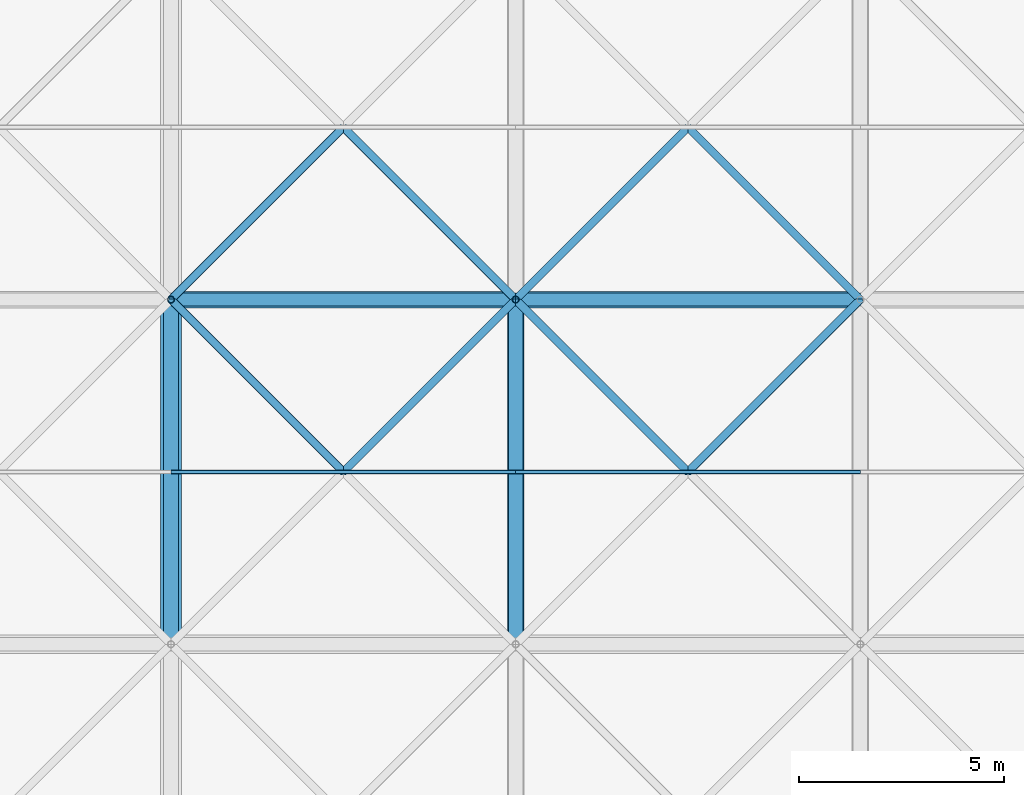
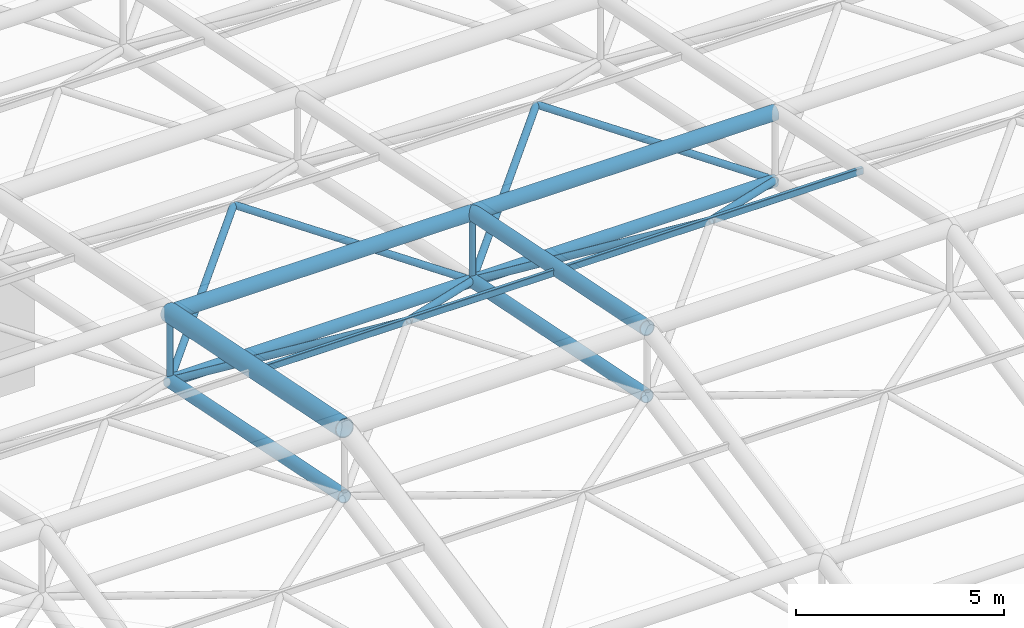
# One storey, part 46 of 110: 20 members.
"""IFC4 building model written with IfcOpenShell, lengths in metres."""

from ifc_helpers import new_model, si_unit, direction, frame, origin, origin_2d, place, context, subcontext, project, spatial, hollow_rectangle, hollow_circle, extrude, material, material_profile, profile_set, type_object, element, save


model = new_model("IFC4")

# Units and contexts
model_context = context("Model", 3, precision=1e-05, world=origin(), true_north=direction((0.0, 1.0)))
body_context = subcontext(model_context, "Body", "Model", "MODEL_VIEW")
ifc_project = project(units=[si_unit("LENGTHUNIT", "METRE"), si_unit("AREAUNIT", "SQUARE_METRE"), si_unit("VOLUMEUNIT", "CUBIC_METRE"), si_unit("PLANEANGLEUNIT", "RADIAN"), si_unit("MASSUNIT", "GRAM", prefix="KILO")], contexts=[model_context])

# Site, building, storey
site_placement = place(None, origin())
site = spatial("IfcSite", under=ifc_project, at=site_placement, CompositionType="ELEMENT")
building_placement = place(site_placement, origin())
building = spatial("IfcBuilding", under=site, at=building_placement, Name="Qawsi Khor Wholesale Market", CompositionType="ELEMENT")
storey_placement = place(building_placement, frame((0.0, 0.0, 11.39990234375)))
storey = spatial("IfcBuildingStorey", under=building, at=storey_placement, Name="L02", CompositionType="ELEMENT", Elevation=11.39990234375)

# Members
ifc_material = material(Name="Steel S355", Category="steel")
ifc_material_profile_1 = material_profile(ifc_material, hollow_circle(Radius=0.177734375, WallThickness=0.01611328125, at=origin_2d()), Name="CHS 355.6x16.0")
ifc_profile_set_1 = profile_set([ifc_material_profile_1], Name="Steel S355")
member_type_1 = type_object("IfcMemberType", Name="Space-Frame Bottom Chord CHS 355.6x16.0", PredefinedType="CHORD", material=ifc_profile_set_1)
for number, where, z_axis, x_axis, name in (
    (1, (159.60009765625, 75.60009765625, 6.77001953125), (0.0, 0.980129990483, -0.1983562496), (-1.0, 0.0, 0.0), "Space frame bottom chord Y EH (19,9)"),
    (2, (168.0, 75.60009765625, 6.77001953125), (0.0, 0.980129990483, -0.1983562496), (-1.0, 0.0, 0.0), "Space frame bottom chord Y EH (20,9)"),
):
    element("IfcMember", number, at=place(storey_placement, frame(where, z_axis=z_axis, x_axis=x_axis)), inside=storey, type_object=member_type_1, Name=name, PredefinedType="CHORD", context=body_context, shape_type="SweptSolid", body=[
        extrude(hollow_circle(Radius=0.177734375, WallThickness=0.01611328125, at=origin_2d()), origin(), (0.0, 0.0, 1.0), 8.5703125),
    ])
ifc_material_profile_2 = material_profile(ifc_material, hollow_circle(Radius=0.25390625, WallThickness=0.02490234375, at=origin_2d()), Name="CHS 508.0x25.0")
ifc_profile_set_2 = profile_set([ifc_material_profile_2], Name="Steel S355")
member_type_2 = type_object("IfcMemberType", Name="Space-Frame Main Chord CHS 508.0x25.0", PredefinedType="CHORD", material=ifc_profile_set_2)
member_1_placement = place(storey_placement, frame((159.60009765625, 75.60009765625, 8.77001953125), z_axis=(0.0, 0.980129990483, -0.1983562496), x_axis=(-1.0, 0.0, 0.0)))
element("IfcMember", 3, at=member_1_placement, inside=storey, type_object=member_type_2, Name="Space frame top chord Y EH (19,9)", PredefinedType="CHORD", context=body_context, shape_type="SweptSolid", body=[
    extrude(hollow_circle(Radius=0.25390625, WallThickness=0.02490234375, at=origin_2d()), origin(), (0.0, 0.0, 1.0), 8.5703125),
])
ifc_material_profile_3 = material_profile(ifc_material, hollow_rectangle(XDim=0.10009765625, YDim=0.199951171875, WallThickness=0.008056640625, InnerFilletRadius=0.008056640625, OuterFilletRadius=0.01611328125, at=origin_2d()), Name="RHS 200x100x8.0")
ifc_profile_set_3 = profile_set([ifc_material_profile_3], Name="Steel S355")
member_type_3 = type_object("IfcMemberType", Name="Space-Frame Purlin RHS 200x100x8.0", PredefinedType="PURLIN", material=ifc_profile_set_3)
for number, where, z_axis, x_axis, name in (
    (4, (159.60009765625, 79.800048828125, 7.920166015625), (1.0, 0.0, 0.0), (0.0, 1.0, 0.0), "Space frame purlin EH (19,9)"),
    (5, (168.0, 79.800048828125, 7.920166015625), (1.0, 0.0, 0.0), (0.0, 1.0, 0.0), "Space frame purlin EH (20,9)"),
):
    element("IfcMember", number, at=place(storey_placement, frame(where, z_axis=z_axis, x_axis=x_axis)), inside=storey, type_object=member_type_3, Name=name, PredefinedType="PURLIN", context=body_context, shape_type="SweptSolid", body=[
        extrude(hollow_rectangle(XDim=0.10009765625, YDim=0.199951171875, WallThickness=0.008056640625, InnerFilletRadius=0.008056640625, OuterFilletRadius=0.01611328125, at=origin_2d()), origin(), (0.0, 0.0, 1.0), 8.39990234375),
    ])
ifc_material_profile_4 = material_profile(ifc_material, hollow_circle(Radius=0.161865234375, WallThickness=0.01611328125, at=origin_2d()), Name="CHS 323.9x16.0")
ifc_profile_set_4 = profile_set([ifc_material_profile_4], Name="Steel S355")
member_type_4 = type_object("IfcMemberType", Name="Space-Frame Secondary Chord CHS 323.9x16.0", PredefinedType="CHORD", material=ifc_profile_set_4)
for number, where, z_axis, x_axis, name in (
    (6, (159.60009765625, 84.0, 5.070068359375), (1.0, 0.0, 0.0), (0.0, 1.0, 0.0), "Space frame bottom chord X EH (19,10)"),
    (7, (168.0, 84.0, 5.070068359375), (1.0, 0.0, 0.0), (0.0, 1.0, 0.0), "Space frame bottom chord X EH (20,10)"),
):
    element("IfcMember", number, at=place(storey_placement, frame(where, z_axis=z_axis, x_axis=x_axis)), inside=storey, type_object=member_type_4, Name=name, PredefinedType="CHORD", context=body_context, shape_type="SweptSolid", body=[
        extrude(hollow_circle(Radius=0.161865234375, WallThickness=0.01611328125, at=origin_2d()), origin(), (0.0, 0.0, 1.0), 8.39990234375),
    ])
ifc_material_profile_5 = material_profile(ifc_material, hollow_circle(Radius=0.096923828125, WallThickness=0.008056640625, at=origin_2d()), Name="CHS 193.7x8.0")
ifc_profile_set_5 = profile_set([ifc_material_profile_5], Name="Steel S355")
member_type_5 = type_object("IfcMemberType", Name="Space-Frame Secondary Diagonal CHS 193.7x8.0", PredefinedType="RAFTER", material=ifc_profile_set_5)
for number, where, z_axis, x_axis, name in (
    (8, (168.0, 84.0, 5.070068359375), (-0.637511741089, -0.637511741089, 0.432617105474), (0.707106781187, -0.707106781187, 0.0), "Space frame diagonal EH (19,9)-3"),
    (9, (159.60009765625, 84.0, 5.070068359375), (0.637511741089, -0.637511741089, 0.432617105474), (0.707106781187, 0.707106781187, 0.0), "Space frame diagonal EH (19,9)-4"),
):
    element("IfcMember", number, at=place(storey_placement, frame(where, z_axis=z_axis, x_axis=x_axis)), inside=storey, type_object=member_type_5, Name=name, PredefinedType="RAFTER", context=body_context, shape_type="SweptSolid", body=[
        extrude(hollow_circle(Radius=0.096923828125, WallThickness=0.008056640625, at=origin_2d()), origin(), (0.0, 0.0, 1.0), 6.588134765625),
    ])
for number, where, z_axis, x_axis, name in (
    (10, (159.60009765625, 84.0, 5.070068359375), (0.694211389158, 0.694211389158, 0.190108112208), (-0.707106781187, 0.707106781187, 0.0), "Space frame diagonal EH (19,10)-1"),
    (11, (168.0, 84.0, 5.070068359375), (-0.694211389158, 0.694211389158, 0.190108112208), (-0.707106781187, -0.707106781187, 0.0), "Space frame diagonal EH (19,10)-2"),
):
    element("IfcMember", number, at=place(storey_placement, frame(where, z_axis=z_axis, x_axis=x_axis)), inside=storey, type_object=member_type_5, Name=name, PredefinedType="RAFTER", context=body_context, shape_type="SweptSolid", body=[
        extrude(hollow_circle(Radius=0.096923828125, WallThickness=0.008056640625, at=origin_2d()), origin(), (0.0, 0.0, 1.0), 6.050048828125),
    ])
for number, where, z_axis, x_axis, name in (
    (12, (176.39990234375, 84.0, 5.070068359375), (-0.637511741089, -0.637511741089, 0.432617105474), (0.707106781187, -0.707106781187, 0.0), "Space frame diagonal EH (20,9)-3"),
    (13, (168.0, 84.0, 5.070068359375), (0.637511741089, -0.637511741089, 0.432617105474), (0.707106781187, 0.707106781187, 0.0), "Space frame diagonal EH (20,9)-4"),
):
    element("IfcMember", number, at=place(storey_placement, frame(where, z_axis=z_axis, x_axis=x_axis)), inside=storey, type_object=member_type_5, Name=name, PredefinedType="RAFTER", context=body_context, shape_type="SweptSolid", body=[
        extrude(hollow_circle(Radius=0.096923828125, WallThickness=0.008056640625, at=origin_2d()), origin(), (0.0, 0.0, 1.0), 6.588134765625),
    ])
for number, where, z_axis, x_axis, name in (
    (14, (168.0, 84.0, 5.070068359375), (0.694211389158, 0.694211389158, 0.190108112208), (-0.707106781187, 0.707106781187, 0.0), "Space frame diagonal EH (20,10)-1"),
    (15, (176.39990234375, 84.0, 5.070068359375), (-0.694211389158, 0.694211389158, 0.190108112208), (-0.707106781187, -0.707106781187, 0.0), "Space frame diagonal EH (20,10)-2"),
):
    element("IfcMember", number, at=place(storey_placement, frame(where, z_axis=z_axis, x_axis=x_axis)), inside=storey, type_object=member_type_5, Name=name, PredefinedType="RAFTER", context=body_context, shape_type="SweptSolid", body=[
        extrude(hollow_circle(Radius=0.096923828125, WallThickness=0.008056640625, at=origin_2d()), origin(), (0.0, 0.0, 1.0), 6.050048828125),
    ])
ifc_material_profile_6 = material_profile(ifc_material, hollow_circle(Radius=0.203125, WallThickness=0.02001953125, at=origin_2d()), Name="CHS 406.4x20.0")
ifc_profile_set_6 = profile_set([ifc_material_profile_6], Name="Steel S355")
member_type_6 = type_object("IfcMemberType", Name="Space-Frame Top Chord CHS 406.4x20.0", PredefinedType="CHORD", material=ifc_profile_set_6)
member_2_placement = place(storey_placement, frame((159.60009765625, 84.0, 7.070068359375), z_axis=(1.0, 0.0, 0.0), x_axis=(0.0, 1.0, 0.0)))
element("IfcMember", 16, at=member_2_placement, inside=storey, type_object=member_type_6, Name="Space frame top chord X EH (19,10)", PredefinedType="CHORD", context=body_context, shape_type="SweptSolid", body=[
    extrude(hollow_circle(Radius=0.203125, WallThickness=0.02001953125, at=origin_2d()), origin(), (0.0, 0.0, 1.0), 8.39990234375),
])
member_3_placement = place(storey_placement, frame((168.0, 75.60009765625, 8.77001953125), z_axis=(0.0, 0.980129990483, -0.1983562496), x_axis=(-1.0, 0.0, 0.0)))
element("IfcMember", 17, at=member_3_placement, inside=storey, type_object=member_type_6, Name="Space frame top chord Y EH (20,9)", PredefinedType="CHORD", context=body_context, shape_type="SweptSolid", body=[
    extrude(hollow_circle(Radius=0.203125, WallThickness=0.02001953125, at=origin_2d()), origin(), (0.0, 0.0, 1.0), 8.5703125),
])
member_4_placement = place(storey_placement, frame((168.0, 84.0, 7.070068359375), z_axis=(1.0, 0.0, 0.0), x_axis=(0.0, 1.0, 0.0)))
element("IfcMember", 18, at=member_4_placement, inside=storey, type_object=member_type_6, Name="Space frame top chord X EH (20,10)", PredefinedType="CHORD", context=body_context, shape_type="SweptSolid", body=[
    extrude(hollow_circle(Radius=0.203125, WallThickness=0.02001953125, at=origin_2d()), origin(), (0.0, 0.0, 1.0), 8.39990234375),
])
ifc_material_profile_7 = material_profile(ifc_material, hollow_circle(Radius=0.084228515625, WallThickness=0.008056640625, at=origin_2d()), Name="CHS 168.3x8.0")
ifc_profile_set_7 = profile_set([ifc_material_profile_7], Name="Steel S355")
member_type_7 = type_object("IfcMemberType", Name="Space-Frame Vertical Strut CHS 168.3x8.0", PredefinedType="STRUT", material=ifc_profile_set_7)
for number, where, z_axis, x_axis, name in (
    (19, (159.60009765625, 84.0, 5.070068359375), (0.0, 0.0, 1.0), (1.0, 0.0, 0.0), "Space frame post EH (19,10)"),
    (20, (168.0, 84.0, 5.070068359375), (0.0, 0.0, 1.0), (1.0, 0.0, 0.0), "Space frame post EH (20,10)"),
):
    element("IfcMember", number, at=place(storey_placement, frame(where, z_axis=z_axis, x_axis=x_axis)), inside=storey, type_object=member_type_7, Name=name, PredefinedType="STRUT", context=body_context, shape_type="SweptSolid", body=[
        extrude(hollow_circle(Radius=0.084228515625, WallThickness=0.008056640625, at=origin_2d()), origin(), (0.0, 0.0, 1.0), 2.0),
    ])

save(model, "model.ifc")
